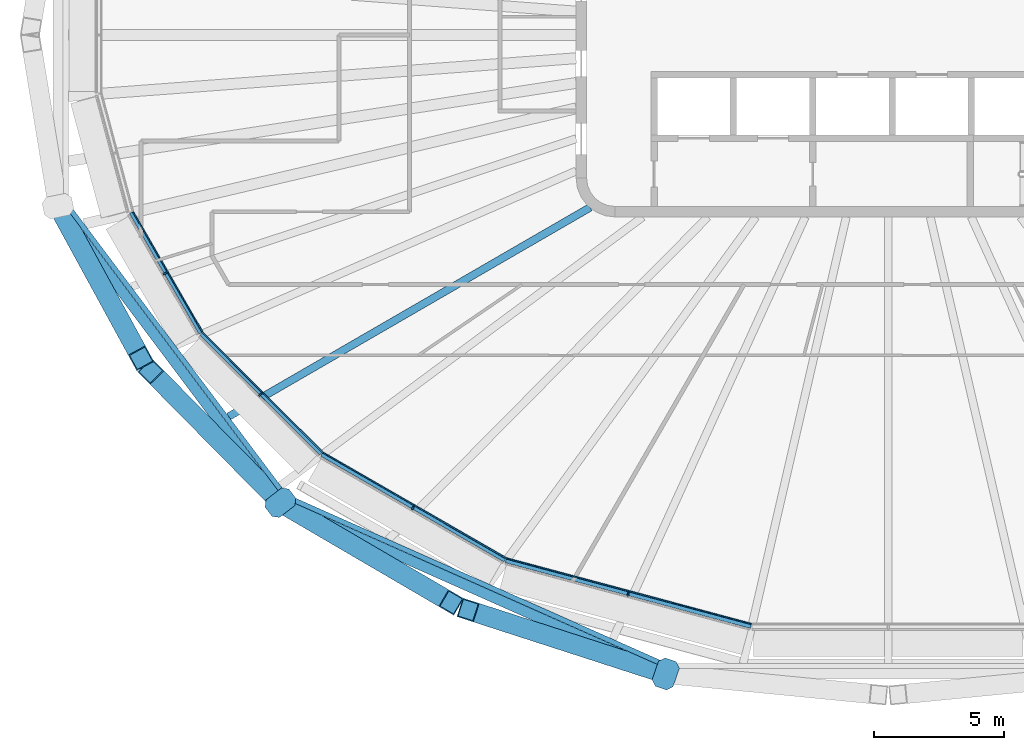
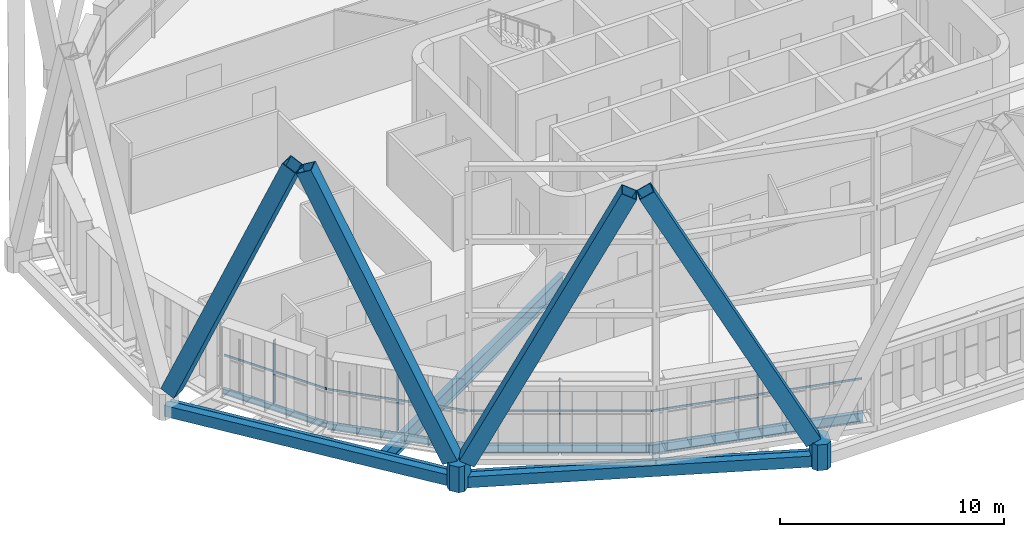
# One storey, part 1 of 22: 14 members, 9 beams, 4 elements without a shape of their own.
"""IFC4 building model written with IfcOpenShell, lengths in metres."""

from ifc_helpers import new_model, si_unit, direction, frame, origin, origin_2d, place, context, subcontext, project, spatial, polyline, rectangle, hollow_rectangle, i_section, outline, extrude, material, layer, layer_set, material_profile, profile_set, type_object, element, aggregate, save


model = new_model("IFC4")

# Units and contexts
model_context = context("Model", 3, precision=1e-05, world=origin(), true_north=direction((0.0, 1.0)))
body_context = subcontext(model_context, "Body", "Model", "MODEL_VIEW")
ifc_project = project(units=[si_unit("LENGTHUNIT", "METRE"), si_unit("AREAUNIT", "SQUARE_METRE"), si_unit("VOLUMEUNIT", "CUBIC_METRE"), si_unit("PLANEANGLEUNIT", "RADIAN"), si_unit("MASSUNIT", "GRAM", prefix="KILO")], contexts=[model_context])

# Site, building, storey
site_placement = place(None, origin())
site = spatial("IfcSite", under=ifc_project, at=site_placement, CompositionType="ELEMENT")
building_placement = place(site_placement, origin())
building = spatial("IfcBuilding", under=site, at=building_placement, Name="Sahrelin Media Tower", CompositionType="ELEMENT")
storey_placement = place(building_placement, frame((0.0, 0.0, 233.60009765625)))
storey = spatial("IfcBuildingStorey", under=building, at=storey_placement, Name="L50", CompositionType="ELEMENT", Elevation=233.60009765625)

# Members
ifc_material_1 = material(Name="Steel S460", Category="steel")
ifc_material_profile_1 = material_profile(ifc_material_1, hollow_rectangle(XDim=0.75, YDim=0.75, WallThickness=0.0400390625, at=origin_2d()), Name="Diagrid diagonal DG6")
ifc_profile_set_1 = profile_set([ifc_material_profile_1], Name="Steel S460")
member_type_1 = type_object("IfcMemberType", Name="Diagrid diagonal DG6", PredefinedType="BRACE", material=ifc_profile_set_1)
member_1_placement = place(storey_placement, frame((-31.772216796875, -6.850341796875, 0.699951171875), z_axis=(0.191358854383, -0.350523060937, 0.916796254683), x_axis=(0.877722398999, 0.47916947972, 0.0)))
element("IfcMember", 1, at=member_1_placement, inside=storey, type_object=member_type_1, Name="Diagrid diagonal D11-13", PredefinedType="BRACE", context=body_context, shape_type="SweptSolid", body=[
    extrude(hollow_rectangle(XDim=0.75, YDim=0.75, WallThickness=0.0400390625, at=origin_2d()), origin(), (0.0, 0.0, 1.0), 15.9248046875),
])
member_2_placement = place(storey_placement, frame((-23.59375, -17.75341796875, 0.699951171875), z_axis=(-0.295554032604, 0.299619341613, 0.90712516443), x_axis=(-0.711920039863, -0.70226053345, 0.0)))
element("IfcMember", 2, at=member_2_placement, inside=storey, type_object=member_type_1, Name="Diagrid diagonal D11-14", PredefinedType="BRACE", context=body_context, shape_type="SweptSolid", body=[
    extrude(hollow_rectangle(XDim=0.75, YDim=0.75, WallThickness=0.0400390625, at=origin_2d()), origin(), (0.0, 0.0, 1.0), 16.0947265625),
])
member_3_placement = place(storey_placement, frame((-23.065185546875, -18.159912109375, 0.699951171875), z_axis=(0.384260974099, -0.22458774364, 0.895490842606), x_axis=(0.504600914785, 0.863352718649, 0.0)))
element("IfcMember", 3, at=member_3_placement, inside=storey, type_object=member_type_1, Name="Diagrid diagonal D11-15", PredefinedType="BRACE", context=body_context, shape_type="SweptSolid", body=[
    extrude(hollow_rectangle(XDim=0.75, YDim=0.75, WallThickness=0.0400390625, at=origin_2d()), origin(), (0.0, 0.0, 1.0), 16.3037109375),
])
member_4_placement = place(storey_placement, frame((-8.900146484375, -24.454833984375, 0.699951171875), z_axis=(-0.440336452055, 0.142395958877, 0.886468950323), x_axis=(-0.307691505717, -0.951486172947, 0.0)))
element("IfcMember", 4, at=member_4_placement, inside=storey, type_object=member_type_1, Name="Diagrid diagonal D11-16", PredefinedType="BRACE", context=body_context, shape_type="SweptSolid", body=[
    extrude(hollow_rectangle(XDim=0.75, YDim=0.75, WallThickness=0.0400390625, at=origin_2d()), origin(), (0.0, 0.0, 1.0), 16.4697265625),
])
ifc_material_profile_2 = material_profile(ifc_material_1, outline(polyline([(0.375, -0.425048828125), (0.574951171875, -0.22509765625), (0.574951171875, 0.22509765625), (0.375, 0.425048828125), (-0.375, 0.425048828125), (-0.574951171875, 0.22509765625), (-0.574951171875, -0.22509765625), (-0.375, -0.425048828125), (0.375, -0.425048828125)])), Name="Diagrid node block 1150")
ifc_profile_set_2 = profile_set([ifc_material_profile_2], Name="Steel S460")
member_type_2 = type_object("IfcMemberType", Name="Diagrid node block 1150", PredefinedType="USERDEFINED", material=ifc_profile_set_2)
for number, where, z_axis, x_axis, name in (
    (5, (-23.36572265625, -17.984619140625, -0.7001953125), (0.0, 0.0, 1.0), (-0.792445093645, -0.609943254376, 0.0), "Diagrid node N11-07"),
    (6, (-8.552490234375, -24.5673828125, -0.7001953125), (0.0, 0.0, 1.0), (-0.328769398381, -0.944410230085, 0.0), "Diagrid node N11-08"),
):
    element("IfcMember", number, at=place(storey_placement, frame(where, z_axis=z_axis, x_axis=x_axis)), inside=storey, type_object=member_type_2, Name=name, ObjectType="NODE", PredefinedType="USERDEFINED", context=body_context, shape_type="SweptSolid", body=[
        extrude(outline(polyline([(0.375, -0.425048828125), (0.574951171875, -0.22509765625), (0.574951171875, 0.22509765625), (0.375, 0.425048828125), (-0.375, 0.425048828125), (-0.574951171875, 0.22509765625), (-0.574951171875, -0.22509765625), (-0.375, -0.425048828125), (0.375, -0.425048828125)])), origin(), (0.0, 0.0, 1.0), 1.400146484375),
    ])

# Beams
ifc_material_profile_3 = material_profile(ifc_material_1, hollow_rectangle(XDim=0.39990234375, YDim=0.60009765625, WallThickness=0.030029296875, at=origin_2d()), Name="Diagrid ring beam RB1")
ifc_profile_set_3 = profile_set([ifc_material_profile_3], Name="Steel S460")
beam_type_1 = type_object("IfcBeamType", Name="Diagrid ring beam RB1", PredefinedType="BEAM", material=ifc_profile_set_3)
beam_1_placement = place(storey_placement, frame((-31.918212890625, -6.582763671875, -0.4501953125), z_axis=(0.600049330653, -0.799962999634, 0.0), x_axis=(0.799962999634, 0.600049330653, 0.0)))
element("IfcBeam", 7, at=beam_1_placement, inside=storey, type_object=beam_type_1, Name="Diagrid ring beam RB11-06", PredefinedType="BEAM", context=body_context, shape_type="SweptSolid", body=[
    extrude(hollow_rectangle(XDim=0.39990234375, YDim=0.60009765625, WallThickness=0.030029296875, at=origin_2d()), origin(), (0.0, 0.0, 1.0), 14.2529296875),
])
beam_2_placement = place(storey_placement, frame((-23.36572265625, -17.984619140625, -0.4501953125), z_axis=(0.91383204297, -0.406092350632, 0.0), x_axis=(0.406092350632, 0.91383204297, 0.0)))
element("IfcBeam", 8, at=beam_2_placement, inside=storey, type_object=beam_type_1, Name="Diagrid ring beam RB11-07", PredefinedType="BEAM", context=body_context, shape_type="SweptSolid", body=[
    extrude(hollow_rectangle(XDim=0.39990234375, YDim=0.60009765625, WallThickness=0.030029296875, at=origin_2d()), origin(), (0.0, 0.0, 1.0), 16.2099609375),
])
ifc_material_2 = material(Name="Steel S355", Category="steel")
ifc_material_profile_4 = material_profile(ifc_material_2, i_section(OverallWidth=0.1650390625, OverallDepth=0.303466796875, WebThickness=0.006103515625, FlangeThickness=0.01025390625, FilletRadius=0.0087890625, at=origin_2d()), Name="UB 305x165x40")
ifc_profile_set_4 = profile_set([ifc_material_profile_4], Name="Steel S355")
beam_type_2 = type_object("IfcBeamType", Name="Edge beam EB2", PredefinedType="BEAM", material=ifc_profile_set_4)
beam_3_placement = place(storey_placement, frame((-26.420654296875, -11.463134765625, -0.3017578125), z_axis=(-0.500026652407, 0.866010015463, 0.0), x_axis=(-0.866010015463, -0.500026652407, 0.0)))
element("IfcBeam", 9, at=beam_3_placement, inside=storey, type_object=beam_type_2, Name="Edge beam L50-11", PredefinedType="BEAM", context=body_context, shape_type="SweptSolid", body=[
    extrude(i_section(OverallWidth=0.1650390625, OverallDepth=0.303466796875, WebThickness=0.006103515625, FlangeThickness=0.01025390625, FilletRadius=0.0087890625, at=origin_2d()), origin(), (0.0, 0.0, 1.0), 5.349365234375),
])
ifc_material_profile_5 = material_profile(ifc_material_2, i_section(OverallWidth=0.17138671875, OverallDepth=0.35498046875, WebThickness=0.00732421875, FlangeThickness=0.011474609375, FilletRadius=0.01025390625, at=origin_2d()), Name="UB 356x171x51")
ifc_profile_set_5 = profile_set([ifc_material_profile_5], Name="Steel S355")
beam_type_3 = type_object("IfcBeamType", Name="Edge beam EB3", PredefinedType="BEAM", material=ifc_profile_set_5)
beam_4_placement = place(storey_placement, frame((-21.797119140625, -16.09228515625, -0.32763671875), z_axis=(-0.707106781187, 0.707106781187, 0.0), x_axis=(-0.707106781187, -0.707106781187, 0.0)))
element("IfcBeam", 10, at=beam_4_placement, inside=storey, type_object=beam_type_3, Name="Edge beam L50-10", PredefinedType="BEAM", context=body_context, shape_type="SweptSolid", body=[
    extrude(i_section(OverallWidth=0.17138671875, OverallDepth=0.35498046875, WebThickness=0.00732421875, FlangeThickness=0.011474609375, FilletRadius=0.01025390625, at=origin_2d()), origin(), (0.0, 0.0, 1.0), 6.51416015625),
])
ifc_material_profile_6 = material_profile(ifc_material_2, i_section(OverallWidth=0.1904296875, OverallDepth=0.45703125, WebThickness=0.009033203125, FlangeThickness=0.014404296875, FilletRadius=0.01025390625, at=origin_2d()), Name="UB 457x191x74")
ifc_profile_set_6 = profile_set([ifc_material_profile_6], Name="Steel S355")
beam_type_4 = type_object("IfcBeamType", Name="Edge beam EB5", PredefinedType="BEAM", material=ifc_profile_set_6)
beam_5_placement = place(storey_placement, frame((-14.728515625, -20.177734375, -0.378662109375), z_axis=(-0.866022173658, 0.500005594701, 0.0), x_axis=(-0.500005594701, -0.866022173658, 0.0)))
element("IfcBeam", 11, at=beam_5_placement, inside=storey, type_object=beam_type_4, Name="Edge beam L50-09", PredefinedType="BEAM", context=body_context, shape_type="SweptSolid", body=[
    extrude(i_section(OverallWidth=0.1904296875, OverallDepth=0.45703125, WebThickness=0.009033203125, FlangeThickness=0.014404296875, FilletRadius=0.01025390625, at=origin_2d()), origin(), (0.0, 0.0, 1.0), 8.1357421875),
])
ifc_material_profile_7 = material_profile(ifc_material_2, i_section(OverallWidth=0.208740234375, OverallDepth=0.5283203125, WebThickness=0.009521484375, FlangeThickness=0.01318359375, FilletRadius=0.0126953125, at=origin_2d()), Name="UB 533x210x82")
ifc_profile_set_7 = profile_set([ifc_material_profile_7], Name="Steel S355")
beam_type_5 = type_object("IfcBeamType", Name="Edge beam EB6", PredefinedType="BEAM", material=ifc_profile_set_7)
beam_6_placement = place(storey_placement, frame((-5.27197265625, -22.71533203125, -0.414306640625), z_axis=(-0.965929187001, 0.258806502428, 0.0), x_axis=(-0.258806502428, -0.965929187001, 0.0)))
element("IfcBeam", 12, at=beam_6_placement, inside=storey, type_object=beam_type_5, Name="Edge beam L50-08", PredefinedType="BEAM", context=body_context, shape_type="SweptSolid", body=[
    extrude(i_section(OverallWidth=0.208740234375, OverallDepth=0.5283203125, WebThickness=0.009521484375, FlangeThickness=0.01318359375, FilletRadius=0.0126953125, at=origin_2d()), origin(), (0.0, 0.0, 1.0), 9.762451171875),
])

# Curtain wall, member
ifc_material_3 = material(Name="Champagne anodised aluminium 6063-T6", Category="aluminium")
ifc_layer = layer(ifc_material_3, 0.14990234375)
ifc_layer_set = layer_set([ifc_layer], Name="Tower ribbon curtain wall")
curtain_wall_type = type_object("IfcCurtainWallType", Name="Tower ribbon curtain wall", PredefinedType="NOTDEFINED", material=ifc_layer_set)
curtain_wall_1_placement = place(storey_placement, frame((-27.887939453125, -9.2216796875, 0.0), z_axis=(0.0, 0.0, 1.0), x_axis=(1.0, 0.0, 0.0)))
curtain_wall_1 = element("IfcCurtainWall", 13, at=curtain_wall_1_placement, inside=storey, type_object=curtain_wall_type, Name="L50:CW:L50-14", PredefinedType="NOTDEFINED")
ifc_material_profile_8 = material_profile(ifc_material_3, rectangle(XDim=0.06005859375, YDim=0.175048828125, at=origin_2d()), Name="Mullion 60x175")
ifc_profile_set_8 = profile_set([ifc_material_profile_8], Name="Champagne anodised aluminium 6063-T6")
member_type_3 = type_object("IfcMemberType", Name="Mullion 60x175 CW1B", PredefinedType="MULLION", material=ifc_profile_set_8)
member_5_placement = place(storey_placement, frame((-27.794921875, -9.168212890625, 0.0), z_axis=(0.0, 0.0, 1.0), x_axis=(0.500001511499, -0.866024531118, 0.0)))
member_5 = element("IfcMember", 14, at=member_5_placement, type_object=member_type_3, Name="L50:CWM:L50-14", PredefinedType="MULLION", context=body_context, shape_type="SweptSolid", body=[
    extrude(rectangle(XDim=0.06005859375, YDim=0.175048828125, at=origin_2d()), origin(), (0.0, 0.0, 1.0), 3.448486328125),
])

curtain_wall_2_placement = place(storey_placement, frame((-24.206298828125, -13.895263671875, 0.0), z_axis=(0.0, 0.0, 1.0), x_axis=(1.0, 0.0, 0.0)))
curtain_wall_2 = element("IfcCurtainWall", 15, at=curtain_wall_2_placement, inside=storey, type_object=curtain_wall_type, Name="L50:CW:L50-15", PredefinedType="NOTDEFINED")
member_6_placement = place(storey_placement, frame((-24.130126953125, -13.819091796875, 0.0), z_axis=(0.0, 0.0, 1.0), x_axis=(0.707099376343, -0.707114185953, 0.0)))
member_6 = element("IfcMember", 16, at=member_6_placement, type_object=member_type_3, Name="L50:CWM:L50-15", PredefinedType="MULLION", context=body_context, shape_type="SweptSolid", body=[
    extrude(rectangle(XDim=0.06005859375, YDim=0.175048828125, at=origin_2d()), origin(), (0.0, 0.0, 1.0), 3.448486328125),
])

curtain_wall_3_placement = place(storey_placement, frame((-18.326416015625, -18.273681640625, 0.0), z_axis=(0.0, 0.0, 1.0), x_axis=(1.0, 0.0, 0.0)))
curtain_wall_3 = element("IfcCurtainWall", 17, at=curtain_wall_3_placement, inside=storey, type_object=curtain_wall_type, Name="L50:CW:L50-16", PredefinedType="NOTDEFINED")
member_7_placement = place(storey_placement, frame((-18.272705078125, -18.1806640625, 0.0), z_axis=(0.0, 0.0, 1.0), x_axis=(0.866027149108, -0.499996976998, 0.0)))
member_7 = element("IfcMember", 18, at=member_7_placement, type_object=member_type_3, Name="L50:CWM:L50-16", PredefinedType="MULLION", context=body_context, shape_type="SweptSolid", body=[
    extrude(rectangle(XDim=0.06005859375, YDim=0.175048828125, at=origin_2d()), origin(), (0.0, 0.0, 1.0), 3.448486328125),
])

curtain_wall_4_placement = place(storey_placement, frame((-10.025634765625, -21.596923828125, 0.0), z_axis=(0.0, 0.0, 1.0), x_axis=(1.0, 0.0, 0.0)))
curtain_wall_4 = element("IfcCurtainWall", 19, at=curtain_wall_4_placement, inside=storey, type_object=curtain_wall_type, Name="L50:CW:L50-17", PredefinedType="NOTDEFINED")
member_8_placement = place(storey_placement, frame((-9.997802734375, -21.4931640625, 0.0), z_axis=(0.0, 0.0, 1.0), x_axis=(0.965925826289, -0.258819045103, 0.0)))
member_8 = element("IfcMember", 20, at=member_8_placement, type_object=member_type_3, Name="L50:CWM:L50-17", PredefinedType="MULLION", context=body_context, shape_type="SweptSolid", body=[
    extrude(rectangle(XDim=0.06005859375, YDim=0.175048828125, at=origin_2d()), origin(), (0.0, 0.0, 1.0), 3.448486328125),
])

# Beams
ifc_material_profile_9 = material_profile(ifc_material_2, i_section(OverallWidth=0.291748046875, OverallDepth=0.8349609375, WebThickness=0.013916015625, FlangeThickness=0.018798828125, FilletRadius=0.017822265625, at=origin_2d()), Name="UB 838x292x176")
ifc_profile_set_9 = profile_set([ifc_material_profile_9], Name="Steel S355")
beam_type_6 = type_object("IfcBeamType", Name="Radial secondary beam SB10", PredefinedType="BEAM", material=ifc_profile_set_9)
beam_7_placement = place(storey_placement, frame((-11.46484375, -6.63427734375, -0.567626953125), z_axis=(-0.865538050782, -0.50084317171, 0.0), x_axis=(0.50084317171, -0.865538050782, 0.0)))
element("IfcBeam", 21, at=beam_7_placement, inside=storey, type_object=beam_type_6, Name="Secondary beam L50-15", PredefinedType="BEAM", context=body_context, shape_type="SweptSolid", body=[
    extrude(i_section(OverallWidth=0.291748046875, OverallDepth=0.8349609375, WebThickness=0.013916015625, FlangeThickness=0.018798828125, FilletRadius=0.017822265625, at=origin_2d()), origin(), (0.0, 0.0, 1.0), 16.049072265625),
])
ifc_material_profile_10 = material_profile(ifc_material_2, i_section(OverallWidth=0.1904296875, OverallDepth=0.45703125, WebThickness=0.009033203125, FlangeThickness=0.014404296875, FilletRadius=0.01025390625, at=origin_2d()), Name="UB 457x191x74")
ifc_profile_set_10 = profile_set([ifc_material_profile_10], Name="Steel S355")
beam_type_7 = type_object("IfcBeamType", Name="Tie chord TC5", PredefinedType="BEAM", material=ifc_profile_set_10)
beam_8_placement = place(storey_placement, frame((-8.48876953125, -24.26708984375, -0.378662109375), z_axis=(-0.913832223904, 0.406091943474, 0.0), x_axis=(-0.406091943474, -0.913832223904, 0.0)))
element("IfcBeam", 22, at=beam_8_placement, inside=storey, type_object=beam_type_7, Name="Tie chord L50-05", PredefinedType="BEAM", context=body_context, shape_type="SweptSolid", body=[
    extrude(i_section(OverallWidth=0.1904296875, OverallDepth=0.45703125, WebThickness=0.009033203125, FlangeThickness=0.014404296875, FilletRadius=0.01025390625, at=origin_2d()), origin(), (0.0, 0.0, 1.0), 16.068115234375),
])
beam_9_placement = place(storey_placement, frame((-23.17236328125, -17.741943359375, -0.378662109375), z_axis=(-0.600049955292, 0.799962531094, 0.0), x_axis=(-0.799962531094, -0.600049955292, 0.0)))
element("IfcBeam", 23, at=beam_9_placement, inside=storey, type_object=beam_type_7, Name="Tie chord L50-06", PredefinedType="BEAM", context=body_context, shape_type="SweptSolid", body=[
    extrude(i_section(OverallWidth=0.1904296875, OverallDepth=0.45703125, WebThickness=0.009033203125, FlangeThickness=0.014404296875, FilletRadius=0.01025390625, at=origin_2d()), origin(), (0.0, 0.0, 1.0), 14.07470703125),
])

# Member
ifc_material_profile_11 = material_profile(ifc_material_3, rectangle(XDim=0.050048828125, YDim=0.110107421875, at=origin_2d()), Name="Transom 50x110")
ifc_profile_set_11 = profile_set([ifc_material_profile_11], Name="Champagne anodised aluminium 6063-T6")
member_type_4 = type_object("IfcMemberType", Name="Transom 50x110 CW1B", PredefinedType="USERDEFINED", material=ifc_profile_set_11)
member_9_placement = place(storey_placement, frame((-29.027099609375, -6.80908203125, 1.599853515625), z_axis=(0.500029766052, -0.866008217664, 0.0), x_axis=(0.866008217664, 0.500029766052, 0.0)))
member_9 = element("IfcMember", 24, at=member_9_placement, type_object=member_type_4, Name="L50:CWT:L50-14", ObjectType="TRANSOM", PredefinedType="USERDEFINED", context=body_context, shape_type="SweptSolid", body=[
    extrude(rectangle(XDim=0.050048828125, YDim=0.110107421875, at=origin_2d()), origin(), (0.0, 0.0, 1.0), 5.318115234375),
])

aggregate(curtain_wall_1, [member_5, member_9])

member_10_placement = place(storey_placement, frame((-26.342529296875, -11.44775390625, 1.599853515625), z_axis=(0.707087950365, -0.707125611507, 0.0), x_axis=(0.707125611507, 0.707087950365, 0.0)))
member_10 = element("IfcMember", 25, at=member_10_placement, type_object=member_type_4, Name="L50:CWT:L50-15", ObjectType="TRANSOM", PredefinedType="USERDEFINED", context=body_context, shape_type="SweptSolid", body=[
    extrude(rectangle(XDim=0.050048828125, YDim=0.110107421875, at=origin_2d()), origin(), (0.0, 0.0, 1.0), 6.482666015625),
])

aggregate(curtain_wall_2, [member_6, member_10])

member_11_placement = place(storey_placement, frame((-21.7255859375, -16.05712890625, 1.599853515625), z_axis=(0.866034085284, -0.4999849629, 0.0), x_axis=(0.4999849629, 0.866034085284, 0.0)))
member_11 = element("IfcMember", 26, at=member_11_placement, type_object=member_type_4, Name="L50:CWT:L50-16", ObjectType="TRANSOM", PredefinedType="USERDEFINED", context=body_context, shape_type="SweptSolid", body=[
    extrude(rectangle(XDim=0.050048828125, YDim=0.110107421875, at=origin_2d()), origin(), (0.0, 0.0, 1.0), 8.104248046875),
])

aggregate(curtain_wall_3, [member_7, member_11])

member_12_placement = place(storey_placement, frame((-14.668701171875, -20.125, 1.599853515625), z_axis=(0.965921510089, -0.258835152843, 0.0), x_axis=(0.258835152843, 0.965921510089, 0.0)))
member_12 = element("IfcMember", 27, at=member_12_placement, type_object=member_type_4, Name="L50:CWT:L50-17", ObjectType="TRANSOM", PredefinedType="USERDEFINED", context=body_context, shape_type="SweptSolid", body=[
    extrude(rectangle(XDim=0.050048828125, YDim=0.110107421875, at=origin_2d()), origin(), (0.0, 0.0, 1.0), 9.731201171875),
])

aggregate(curtain_wall_4, [member_8, member_12])

save(model, "model.ifc")
